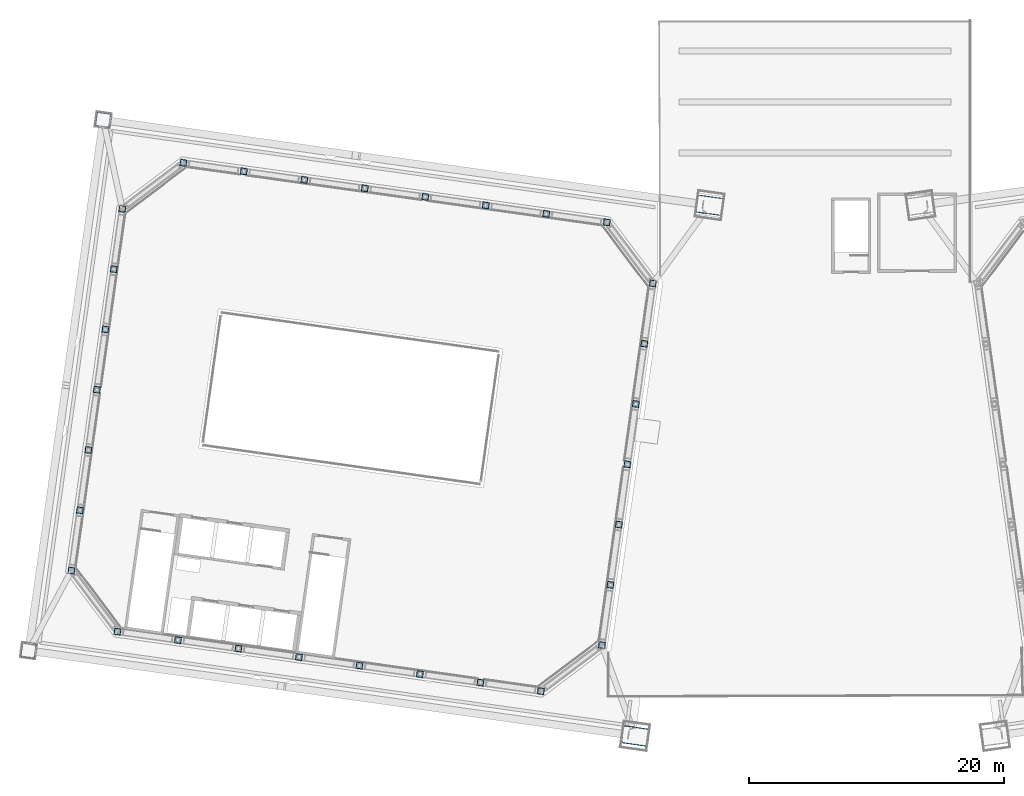
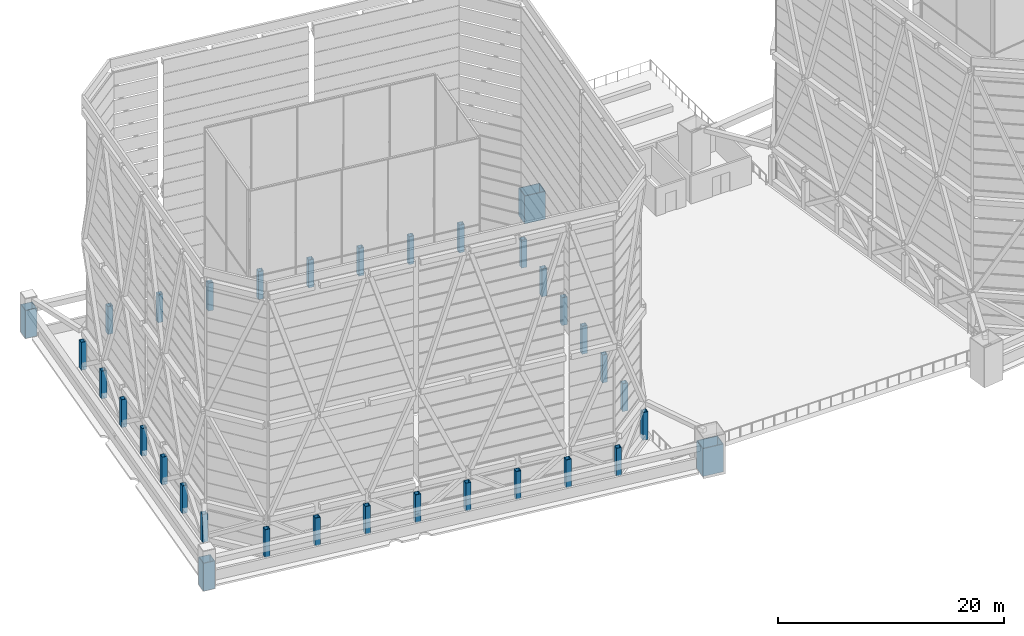
# One storey, part 1 of 45: 34 columns.
"""IFC4 building model written with IfcOpenShell, lengths in metres."""

from ifc_helpers import new_model, si_unit, direction, frame, origin, origin_2d, place, context, subcontext, project, spatial, hollow_rectangle, extrude, material, material_profile, profile_set, type_object, element, save


model = new_model("IFC4")

# Units and contexts
model_context = context("Model", 3, precision=1e-05, world=origin(), true_north=direction((0.0, 1.0)))
body_context = subcontext(model_context, "Body", "Model", "MODEL_VIEW")
ifc_project = project(units=[si_unit("LENGTHUNIT", "METRE"), si_unit("AREAUNIT", "SQUARE_METRE"), si_unit("VOLUMEUNIT", "CUBIC_METRE"), si_unit("PLANEANGLEUNIT", "RADIAN"), si_unit("MASSUNIT", "GRAM", prefix="KILO")], contexts=[model_context])

# Site, building, storey
site_placement = place(None, origin())
site = spatial("IfcSite", under=ifc_project, at=site_placement, CompositionType="ELEMENT")
building_placement = place(site_placement, origin())
building = spatial("IfcBuilding", under=site, at=building_placement, Name="Mirante Cascada Hotel Towers", CompositionType="ELEMENT")
storey_placement = place(building_placement, frame((0.0, 0.0, 269.8)))
storey = spatial("IfcBuildingStorey", under=building, at=storey_placement, Name="Roof garden", CompositionType="ELEMENT", Elevation=269.8)

# Columns
ifc_material_1 = material(Name="Steel ASTM A572 Gr 50", Category="steel")
ifc_material_profile_1 = material_profile(ifc_material_1, hollow_rectangle(XDim=1.1, YDim=1.1, WallThickness=0.05, at=origin_2d()), Name="Box column 1100x1100x50 ASTM A572 Gr 50")
ifc_profile_set_1 = profile_set([ifc_material_profile_1], Name="Steel ASTM A572 Gr 50")
column_type_1 = type_object("IfcColumnType", Name="Box column 1100x1100x50 ASTM A572 Gr 50", PredefinedType="COLUMN", material=ifc_profile_set_1)
for number, where, z_axis, x_axis, name in (
    (1, (-55.7951, 22.8316, 0.0), (0.0, 0.0, 1.0), (-0.9902681, 0.1391731, 0.0), "Mega column MC3 T1 Roof garden"),
    (2, (-61.6404, -18.7596, 0.0), (0.0, 0.0, 1.0), (-0.9902681, 0.1391731, 0.0), "Mega column MC4 T1 Roof garden"),
):
    element("IfcColumn", number, at=place(storey_placement, frame(where, z_axis=z_axis, x_axis=x_axis)), inside=storey, type_object=column_type_1, Name=name, PredefinedType="COLUMN", context=body_context, shape_type="SweptSolid", body=[
        extrude(hollow_rectangle(XDim=1.1, YDim=1.1, WallThickness=0.05, at=origin_2d()), origin(), (0.0, 0.0, 1.0), 3.0),
    ])
ifc_material_2 = material(Name="Steel ASTM A572 Gr 50", Category="steel")
ifc_material_profile_2 = material_profile(ifc_material_2, hollow_rectangle(XDim=2.0, YDim=1.4, WallThickness=0.06, at=origin_2d()), Name="Box column 1400x2000x60 ASTM A572 Gr 50")
ifc_profile_set_2 = profile_set([ifc_material_profile_2], Name="Steel ASTM A572 Gr 50")
column_type_2 = type_object("IfcColumnType", Name="Box column 1400x2000x60 ASTM A572 Gr 50", PredefinedType="COLUMN", material=ifc_profile_set_2)
for number, where, z_axis, x_axis, name in (
    (3, (-8.2623, 16.1513, 0.0), (0.0, 0.0, 1.0), (-0.9902681, 0.1391731, 0.0), "Mega column MC1 T1 Roof garden"),
    (4, (-14.1075, -25.4399, 0.0), (0.0, 0.0, 1.0), (-0.9902681, 0.1391731, 0.0), "Mega column MC2 T1 Roof garden"),
):
    element("IfcColumn", number, at=place(storey_placement, frame(where, z_axis=z_axis, x_axis=x_axis)), inside=storey, type_object=column_type_2, Name=name, PredefinedType="COLUMN", context=body_context, shape_type="SweptSolid", body=[
        extrude(hollow_rectangle(XDim=2.0, YDim=1.4, WallThickness=0.06, at=origin_2d()), origin(), (0.0, 0.0, 1.0), 3.0),
    ])
ifc_material_3 = material(Name="Steel ASTM A572 Gr 50", Category="steel")
ifc_material_profile_3 = material_profile(ifc_material_3, hollow_rectangle(XDim=0.5, YDim=0.5, WallThickness=0.03, at=origin_2d()), Name="Box column 500x500x30 ASTM A572 Gr 50")
ifc_profile_set_3 = profile_set([ifc_material_profile_3], Name="Steel ASTM A572 Gr 50")
column_type_3 = type_object("IfcColumnType", Name="Box column 500x500x30 ASTM A572 Gr 50", PredefinedType="COLUMN", material=ifc_profile_set_3)
for number, where, z_axis, x_axis, name in (
    (5, (-21.4918, -21.928, 0.0), (0.0, 0.0, 1.0), (-0.9902681, 0.1391731, 0.0), "CROWN FRAME post T1 1"),
    (6, (-16.7071, -18.3225, 0.0), (0.0, 0.0, 1.0), (-0.9902681, 0.1391731, 0.0), "CROWN FRAME post T1 2"),
    (7, (-16.043, -13.5977, 0.0), (0.0, 0.0, 1.0), (-0.9902681, 0.1391731, 0.0), "CROWN FRAME post T1 3"),
    (8, (-15.379, -8.8729, 0.0), (0.0, 0.0, 1.0), (-0.9902681, 0.1391731, 0.0), "CROWN FRAME post T1 4"),
    (9, (-14.715, -4.1482, 0.0), (0.0, 0.0, 1.0), (-0.9902681, 0.1391731, 0.0), "CROWN FRAME post T1 5"),
    (10, (-14.051, 0.5766, 0.0), (0.0, 0.0, 1.0), (-0.9902681, 0.1391731, 0.0), "CROWN FRAME post T1 6"),
    (11, (-13.387, 5.3014, 0.0), (0.0, 0.0, 1.0), (-0.9902681, 0.1391731, 0.0), "CROWN FRAME post T1 7"),
    (12, (-12.7229, 10.0261, 0.0), (0.0, 0.0, 1.0), (-0.9902681, 0.1391731, 0.0), "CROWN FRAME post T1 8"),
    (13, (-16.3285, 14.8109, 0.0), (0.0, 0.0, 1.0), (-0.9902681, 0.1391731, 0.0), "CROWN FRAME post T1 9"),
    (14, (-21.0694, 15.4772, 0.0), (0.0, 0.0, 1.0), (-0.9902681, 0.1391731, 0.0), "CROWN FRAME post T1 10"),
    (15, (-25.8103, 16.1435, 0.0), (0.0, 0.0, 1.0), (-0.9902681, 0.1391731, 0.0), "CROWN FRAME post T1 11"),
    (16, (-30.5512, 16.8098, 0.0), (0.0, 0.0, 1.0), (-0.9902681, 0.1391731, 0.0), "CROWN FRAME post T1 12"),
    (17, (-35.2921, 17.4761, 0.0), (0.0, 0.0, 1.0), (-0.9902681, 0.1391731, 0.0), "CROWN FRAME post T1 13"),
    (18, (-40.033, 18.1423, 0.0), (0.0, 0.0, 1.0), (-0.9902681, 0.1391731, 0.0), "CROWN FRAME post T1 14"),
    (19, (-44.7739, 18.8086, 0.0), (0.0, 0.0, 1.0), (-0.9902681, 0.1391731, 0.0), "CROWN FRAME post T1 15"),
    (20, (-49.5148, 19.4749, 0.0), (0.0, 0.0, 1.0), (-0.9902681, 0.1391731, 0.0), "CROWN FRAME post T1 16"),
    (21, (-54.2995, 15.8694, 0.0), (0.0, 0.0, 1.0), (-0.9902681, 0.1391731, 0.0), "CROWN FRAME post T1 17"),
    (22, (-54.9636, 11.1446, 0.0), (0.0, 0.0, 1.0), (-0.9902681, 0.1391731, 0.0), "CROWN FRAME post T1 18"),
    (23, (-55.6276, 6.4198, 0.0), (0.0, 0.0, 1.0), (-0.9902681, 0.1391731, 0.0), "CROWN FRAME post T1 19"),
    (24, (-56.2916, 1.695, 0.0), (0.0, 0.0, 1.0), (-0.9902681, 0.1391731, 0.0), "CROWN FRAME post T1 20"),
    (25, (-56.9556, -3.0297, 0.0), (0.0, 0.0, 1.0), (-0.9902681, 0.1391731, 0.0), "CROWN FRAME post T1 21"),
    (26, (-57.6197, -7.7545, 0.0), (0.0, 0.0, 1.0), (-0.9902681, 0.1391731, 0.0), "CROWN FRAME post T1 22"),
    (27, (-58.2837, -12.4793, 0.0), (0.0, 0.0, 1.0), (-0.9902681, 0.1391731, 0.0), "CROWN FRAME post T1 23"),
    (28, (-54.6781, -17.264, 0.0), (0.0, 0.0, 1.0), (-0.9902681, 0.1391731, 0.0), "CROWN FRAME post T1 24"),
    (29, (-49.9372, -17.9303, 0.0), (0.0, 0.0, 1.0), (-0.9902681, 0.1391731, 0.0), "CROWN FRAME post T1 25"),
    (30, (-45.1963, -18.5966, 0.0), (0.0, 0.0, 1.0), (-0.9902681, 0.1391731, 0.0), "CROWN FRAME post T1 26"),
    (31, (-40.4554, -19.2629, 0.0), (0.0, 0.0, 1.0), (-0.9902681, 0.1391731, 0.0), "CROWN FRAME post T1 27"),
    (32, (-35.7145, -19.9292, 0.0), (0.0, 0.0, 1.0), (-0.9902681, 0.1391731, 0.0), "CROWN FRAME post T1 28"),
    (33, (-30.9736, -20.5955, 0.0), (0.0, 0.0, 1.0), (-0.9902681, 0.1391731, 0.0), "CROWN FRAME post T1 29"),
    (34, (-26.2327, -21.2618, 0.0), (0.0, 0.0, 1.0), (-0.9902681, 0.1391731, 0.0), "CROWN FRAME post T1 30"),
):
    element("IfcColumn", number, at=place(storey_placement, frame(where, z_axis=z_axis, x_axis=x_axis)), inside=storey, type_object=column_type_3, Name=name, PredefinedType="COLUMN", context=body_context, shape_type="SweptSolid", body=[
        extrude(hollow_rectangle(XDim=0.5, YDim=0.5, WallThickness=0.03, at=origin_2d()), origin(), (0.0, 0.0, 1.0), 3.0),
    ])

save(model, "model.ifc")
